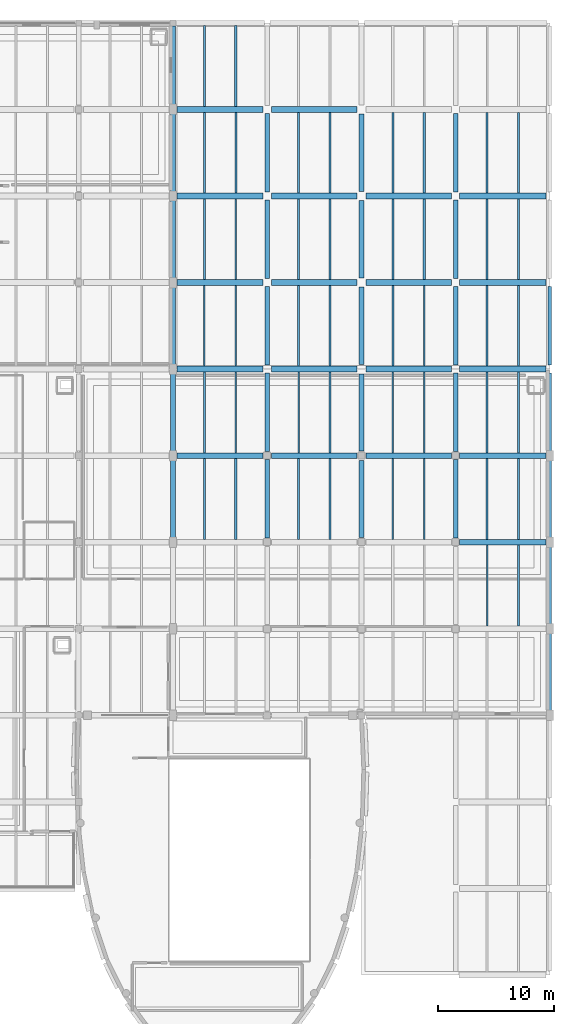
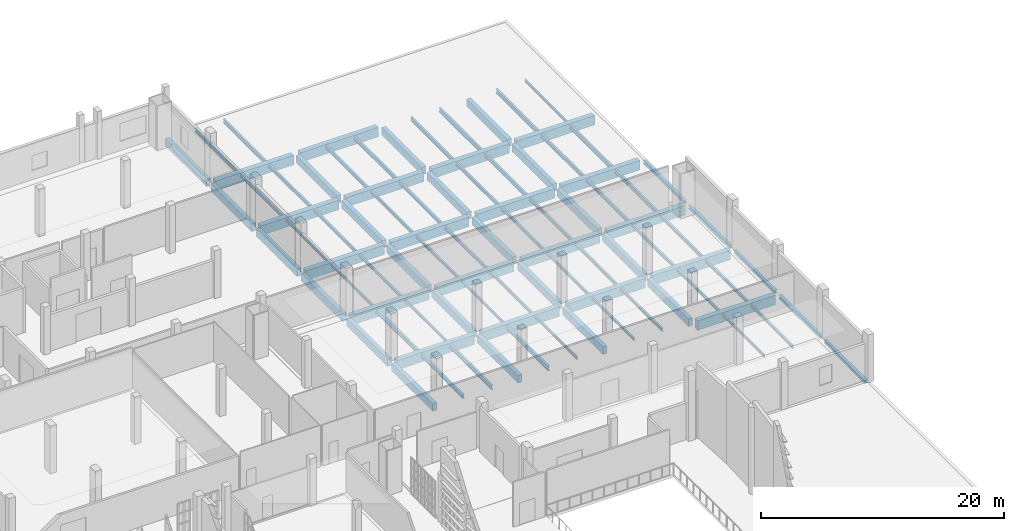
# One storey, part 50 of 104: 89 beams.
"""IFC4 building model written with IfcOpenShell, lengths in metres."""

from ifc_helpers import new_model, si_unit, direction, frame, origin, origin_2d, place, context, subcontext, project, spatial, rectangle, i_section, extrude, material, material_profile, profile_set, type_object, element, save


model = new_model("IFC4")

# Units and contexts
model_context = context("Model", 3, precision=1e-05, world=origin(), true_north=direction((0.0, 1.0)))
body_context = subcontext(model_context, "Body", "Model", "MODEL_VIEW")
ifc_project = project(units=[si_unit("LENGTHUNIT", "METRE"), si_unit("AREAUNIT", "SQUARE_METRE"), si_unit("VOLUMEUNIT", "CUBIC_METRE"), si_unit("PLANEANGLEUNIT", "RADIAN"), si_unit("MASSUNIT", "GRAM", prefix="KILO")], contexts=[model_context])

# Site, building, storey
site_placement = place(None, origin())
site = spatial("IfcSite", under=ifc_project, at=site_placement, CompositionType="ELEMENT")
building_placement = place(site_placement, origin())
building = spatial("IfcBuilding", under=site, at=building_placement, Name="Kaelora Sail Theatre", CompositionType="ELEMENT")
storey_placement = place(building_placement, frame((0.0, 0.0, 5.39990234375)))
storey = spatial("IfcBuildingStorey", under=building, at=storey_placement, Name="L01", CompositionType="ELEMENT", Elevation=5.39990234375)

# Beams
ifc_material_1 = material(Name="Steel S355", Category="steel")
ifc_material_profile_1 = material_profile(ifc_material_1, i_section(OverallWidth=0.18994140625, OverallDepth=0.449951171875, WebThickness=0.009521484375, FlangeThickness=0.0146484375, FilletRadius=0.02099609375, at=origin_2d()), Name="IPE 450")
ifc_profile_set_1 = profile_set([ifc_material_profile_1], Name="Steel S355")
beam_type_1 = type_object("IfcBeamType", Name="STR-BM-BM-IPE450", PredefinedType="BEAM", material=ifc_profile_set_1)
beam_1_placement = place(storey_placement, frame((136.5, 68.7099609375, -0.52001953125), z_axis=(0.0, 1.0, 0.0), x_axis=(-1.0, 0.0, 0.0)))
element("IfcBeam", 1, at=beam_1_placement, inside=storey, type_object=beam_type_1, Name="Secondary floor joist 17/J-2 (L01)", PredefinedType="BEAM", context=body_context, shape_type="SweptSolid", body=[
    extrude(i_section(OverallWidth=0.18994140625, OverallDepth=0.449951171875, WebThickness=0.009521484375, FlangeThickness=0.0146484375, FilletRadius=0.02099609375, at=origin_2d()), origin(), (0.0, 0.0, 1.0), 6.93994140625),
])
beam_2_placement = place(storey_placement, frame((133.800048828125, 76.14990234375, -0.52001953125), z_axis=(0.0, 1.0, 0.0), x_axis=(-1.0, 0.0, 0.0)))
element("IfcBeam", 2, at=beam_2_placement, inside=storey, type_object=beam_type_1, Name="Secondary floor joist 17/K-1 (L01)", PredefinedType="BEAM", context=body_context, shape_type="SweptSolid", body=[
    extrude(i_section(OverallWidth=0.18994140625, OverallDepth=0.449951171875, WebThickness=0.009521484375, FlangeThickness=0.0146484375, FilletRadius=0.02099609375, at=origin_2d()), origin(), (0.0, 0.0, 1.0), 6.940185546875),
])
for number, where, z_axis, x_axis, name in (
    (3, (141.89990234375, 68.7099609375, -0.52001953125), (0.0, 1.0, 0.0), (-1.0, 0.0, 0.0), "Secondary floor joist 18/J-1 (L01)"),
    (4, (152.699951171875, 98.469970703125, -0.52001953125), (0.0, 1.0, 0.0), (-1.0, 0.0, 0.0), "Secondary floor joist 19/N-2 (L01)"),
    (5, (160.800048828125, 91.030029296875, -0.52001953125), (0.0, 1.0, 0.0), (-1.0, 0.0, 0.0), "Secondary floor joist 20/M-2 (L01)"),
    (6, (158.10009765625, 98.469970703125, -0.52001953125), (0.0, 1.0, 0.0), (-1.0, 0.0, 0.0), "Secondary floor joist 20/N-1 (L01)"),
):
    element("IfcBeam", number, at=place(storey_placement, frame(where, z_axis=z_axis, x_axis=x_axis)), inside=storey, type_object=beam_type_1, Name=name, PredefinedType="BEAM", context=body_context, shape_type="SweptSolid", body=[
        extrude(i_section(OverallWidth=0.18994140625, OverallDepth=0.449951171875, WebThickness=0.009521484375, FlangeThickness=0.0146484375, FilletRadius=0.02099609375, at=origin_2d()), origin(), (0.0, 0.0, 1.0), 6.93994140625),
    ])
ifc_material_2 = material(Name="Concrete C40/50", Category="concrete")
ifc_material_profile_2 = material_profile(ifc_material_2, rectangle(XDim=0.39990234375, YDim=0.75, at=origin_2d()), Name="RC-BM 400x750")
ifc_profile_set_2 = profile_set([ifc_material_profile_2], Name="Concrete C40/50")
beam_type_2 = type_object("IfcBeamType", Name="STR-BM-BM-RC4075", PredefinedType="BEAM", material=ifc_profile_set_2)
for number, where, z_axis, x_axis, name in (
    (7, (131.10009765625, 68.81005859375, -0.669921875), (0.0, 1.0, 0.0), (-1.0, 0.0, 0.0), "Primary beam 17 J-K (L01)"),
    (8, (131.10009765625, 76.25, -0.669921875), (0.0, 1.0, 0.0), (-1.0, 0.0, 0.0), "Primary beam 17 K-L (L01)"),
    (9, (131.10009765625, 83.68994140625, -0.669921875), (0.0, 1.0, 0.0), (-1.0, 0.0, 0.0), "Primary beam 17 L-M (L01)"),
):
    element("IfcBeam", number, at=place(storey_placement, frame(where, z_axis=z_axis, x_axis=x_axis)), inside=storey, type_object=beam_type_2, Name=name, PredefinedType="BEAM", context=body_context, shape_type="SweptSolid", body=[
        extrude(rectangle(XDim=0.39990234375, YDim=0.75, at=origin_2d()), origin(), (0.0, 0.0, 1.0), 6.739990234375),
    ])
beam_3_placement = place(storey_placement, frame((131.10009765625, 91.1298828125, -0.669921875), z_axis=(0.0, 1.0, 0.0), x_axis=(-1.0, 0.0, 0.0)))
element("IfcBeam", 10, at=beam_3_placement, inside=storey, type_object=beam_type_2, Name="Primary beam 17 M-N (L01)", PredefinedType="BEAM", context=body_context, shape_type="SweptSolid", body=[
    extrude(rectangle(XDim=0.39990234375, YDim=0.75, at=origin_2d()), origin(), (0.0, 0.0, 1.0), 6.740234375),
])
beam_4_placement = place(storey_placement, frame((131.10009765625, 98.570068359375, -0.669921875), z_axis=(0.0, 1.0, 0.0), x_axis=(-1.0, 0.0, 0.0)))
element("IfcBeam", 11, at=beam_4_placement, inside=storey, type_object=beam_type_2, Name="Primary beam 17 N-O (L01)", PredefinedType="BEAM", context=body_context, shape_type="SweptSolid", body=[
    extrude(rectangle(XDim=0.39990234375, YDim=0.75, at=origin_2d()), origin(), (0.0, 0.0, 1.0), 6.739990234375),
])
beam_5_placement = place(storey_placement, frame((131.10009765625, 106.010009765625, -0.669921875), z_axis=(0.0, 1.0, 0.0), x_axis=(-1.0, 0.0, 0.0)))
element("IfcBeam", 12, at=beam_5_placement, inside=storey, type_object=beam_type_2, Name="Primary beam 17 O-P (L01)", PredefinedType="BEAM", context=body_context, shape_type="SweptSolid", body=[
    extrude(rectangle(XDim=0.39990234375, YDim=0.75, at=origin_2d()), origin(), (0.0, 0.0, 1.0), 6.840087890625),
])
for number, where, z_axis, x_axis, name in (
    (13, (139.199951171875, 68.81005859375, -0.669921875), (0.0, 1.0, 0.0), (-1.0, 0.0, 0.0), "Primary beam 18 J-K (L01)"),
    (14, (139.199951171875, 76.25, -0.669921875), (0.0, 1.0, 0.0), (-1.0, 0.0, 0.0), "Primary beam 18 K-L (L01)"),
    (15, (139.199951171875, 83.68994140625, -0.669921875), (0.0, 1.0, 0.0), (-1.0, 0.0, 0.0), "Primary beam 18 L-M (L01)"),
):
    element("IfcBeam", number, at=place(storey_placement, frame(where, z_axis=z_axis, x_axis=x_axis)), inside=storey, type_object=beam_type_2, Name=name, PredefinedType="BEAM", context=body_context, shape_type="SweptSolid", body=[
        extrude(rectangle(XDim=0.39990234375, YDim=0.75, at=origin_2d()), origin(), (0.0, 0.0, 1.0), 6.739990234375),
    ])
beam_6_placement = place(storey_placement, frame((139.199951171875, 91.1298828125, -0.669921875), z_axis=(0.0, 1.0, 0.0), x_axis=(-1.0, 0.0, 0.0)))
element("IfcBeam", 16, at=beam_6_placement, inside=storey, type_object=beam_type_2, Name="Primary beam 18 M-N (L01)", PredefinedType="BEAM", context=body_context, shape_type="SweptSolid", body=[
    extrude(rectangle(XDim=0.39990234375, YDim=0.75, at=origin_2d()), origin(), (0.0, 0.0, 1.0), 6.740234375),
])
beam_7_placement = place(storey_placement, frame((139.199951171875, 98.570068359375, -0.669921875), z_axis=(0.0, 1.0, 0.0), x_axis=(-1.0, 0.0, 0.0)))
element("IfcBeam", 17, at=beam_7_placement, inside=storey, type_object=beam_type_2, Name="Primary beam 18 N-O (L01)", PredefinedType="BEAM", context=body_context, shape_type="SweptSolid", body=[
    extrude(rectangle(XDim=0.39990234375, YDim=0.75, at=origin_2d()), origin(), (0.0, 0.0, 1.0), 6.739990234375),
])
for number, where, z_axis, x_axis, name in (
    (18, (147.300048828125, 68.860107421875, -0.669921875), (0.0, 1.0, 0.0), (-1.0, 0.0, 0.0), "Primary beam 19 J-K (L01)"),
    (19, (147.300048828125, 76.300048828125, -0.669921875), (0.0, 1.0, 0.0), (-1.0, 0.0, 0.0), "Primary beam 19 K-L (L01)"),
    (20, (147.300048828125, 83.739990234375, -0.669921875), (0.0, 1.0, 0.0), (-1.0, 0.0, 0.0), "Primary beam 19 L-M (L01)"),
):
    element("IfcBeam", number, at=place(storey_placement, frame(where, z_axis=z_axis, x_axis=x_axis)), inside=storey, type_object=beam_type_2, Name=name, PredefinedType="BEAM", context=body_context, shape_type="SweptSolid", body=[
        extrude(rectangle(XDim=0.39990234375, YDim=0.75, at=origin_2d()), origin(), (0.0, 0.0, 1.0), 6.639892578125),
    ])
beam_8_placement = place(storey_placement, frame((147.300048828125, 91.179931640625, -0.669921875), z_axis=(0.0, 1.0, 0.0), x_axis=(-1.0, 0.0, 0.0)))
element("IfcBeam", 21, at=beam_8_placement, inside=storey, type_object=beam_type_2, Name="Primary beam 19 M-N (L01)", PredefinedType="BEAM", context=body_context, shape_type="SweptSolid", body=[
    extrude(rectangle(XDim=0.39990234375, YDim=0.75, at=origin_2d()), origin(), (0.0, 0.0, 1.0), 6.64013671875),
])
beam_9_placement = place(storey_placement, frame((147.300048828125, 98.6201171875, -0.669921875), z_axis=(0.0, 1.0, 0.0), x_axis=(-1.0, 0.0, 0.0)))
element("IfcBeam", 22, at=beam_9_placement, inside=storey, type_object=beam_type_2, Name="Primary beam 19 N-O (L01)", PredefinedType="BEAM", context=body_context, shape_type="SweptSolid", body=[
    extrude(rectangle(XDim=0.39990234375, YDim=0.75, at=origin_2d()), origin(), (0.0, 0.0, 1.0), 6.639892578125),
])
for number, where, z_axis, x_axis, name in (
    (23, (155.39990234375, 68.81005859375, -0.669921875), (0.0, 1.0, 0.0), (-1.0, 0.0, 0.0), "Primary beam 20 J-K (L01)"),
    (24, (155.39990234375, 76.25, -0.669921875), (0.0, 1.0, 0.0), (-1.0, 0.0, 0.0), "Primary beam 20 K-L (L01)"),
    (25, (155.39990234375, 83.68994140625, -0.669921875), (0.0, 1.0, 0.0), (-1.0, 0.0, 0.0), "Primary beam 20 L-M (L01)"),
):
    element("IfcBeam", number, at=place(storey_placement, frame(where, z_axis=z_axis, x_axis=x_axis)), inside=storey, type_object=beam_type_2, Name=name, PredefinedType="BEAM", context=body_context, shape_type="SweptSolid", body=[
        extrude(rectangle(XDim=0.39990234375, YDim=0.75, at=origin_2d()), origin(), (0.0, 0.0, 1.0), 6.739990234375),
    ])
beam_10_placement = place(storey_placement, frame((155.39990234375, 91.1298828125, -0.669921875), z_axis=(0.0, 1.0, 0.0), x_axis=(-1.0, 0.0, 0.0)))
element("IfcBeam", 26, at=beam_10_placement, inside=storey, type_object=beam_type_2, Name="Primary beam 20 M-N (L01)", PredefinedType="BEAM", context=body_context, shape_type="SweptSolid", body=[
    extrude(rectangle(XDim=0.39990234375, YDim=0.75, at=origin_2d()), origin(), (0.0, 0.0, 1.0), 6.740234375),
])
beam_11_placement = place(storey_placement, frame((155.39990234375, 98.570068359375, -0.669921875), z_axis=(0.0, 1.0, 0.0), x_axis=(-1.0, 0.0, 0.0)))
element("IfcBeam", 27, at=beam_11_placement, inside=storey, type_object=beam_type_2, Name="Primary beam 20 N-O (L01)", PredefinedType="BEAM", context=body_context, shape_type="SweptSolid", body=[
    extrude(rectangle(XDim=0.39990234375, YDim=0.75, at=origin_2d()), origin(), (0.0, 0.0, 1.0), 6.739990234375),
])
ifc_material_3 = material(Name="Concrete C45/55", Category="concrete")
ifc_material_profile_3 = material_profile(ifc_material_3, rectangle(XDim=0.5, YDim=0.949951171875, at=origin_2d()), Name="RC-GRD 500x950")
ifc_profile_set_3 = profile_set([ifc_material_profile_3], Name="Concrete C45/55")
beam_type_3 = type_object("IfcBeamType", Name="STR-BM-GR-RC5095", PredefinedType="T_BEAM", material=ifc_profile_set_3)
for number, where, z_axis, x_axis, name in (
    (28, (131.449951171875, 75.89990234375, -0.77001953125), (1.0, 0.0, 0.0), (0.0, 1.0, 0.0), "Primary beam K 17-18 (L01)"),
    (29, (131.449951171875, 83.340087890625, -0.77001953125), (1.0, 0.0, 0.0), (0.0, 1.0, 0.0), "Primary beam L 17-18 (L01)"),
    (30, (131.449951171875, 90.780029296875, -0.77001953125), (1.0, 0.0, 0.0), (0.0, 1.0, 0.0), "Primary beam M 17-18 (L01)"),
    (31, (131.449951171875, 98.219970703125, -0.77001953125), (1.0, 0.0, 0.0), (0.0, 1.0, 0.0), "Primary beam N 17-18 (L01)"),
    (32, (131.449951171875, 105.659912109375, -0.77001953125), (1.0, 0.0, 0.0), (0.0, 1.0, 0.0), "Primary beam O 17-18 (L01)"),
):
    element("IfcBeam", number, at=place(storey_placement, frame(where, z_axis=z_axis, x_axis=x_axis)), inside=storey, type_object=beam_type_3, Name=name, PredefinedType="T_BEAM", context=body_context, shape_type="SweptSolid", body=[
        extrude(rectangle(XDim=0.5, YDim=0.949951171875, at=origin_2d()), origin(), (0.0, 0.0, 1.0), 7.400146484375),
    ])
for number, where, z_axis, x_axis, name in (
    (33, (139.550048828125, 75.89990234375, -0.77001953125), (1.0, 0.0, 0.0), (0.0, 1.0, 0.0), "Primary beam K 18-19 (L01)"),
    (34, (139.550048828125, 83.340087890625, -0.77001953125), (1.0, 0.0, 0.0), (0.0, 1.0, 0.0), "Primary beam L 18-19 (L01)"),
    (35, (139.550048828125, 90.780029296875, -0.77001953125), (1.0, 0.0, 0.0), (0.0, 1.0, 0.0), "Primary beam M 18-19 (L01)"),
    (36, (139.550048828125, 98.219970703125, -0.77001953125), (1.0, 0.0, 0.0), (0.0, 1.0, 0.0), "Primary beam N 18-19 (L01)"),
    (37, (139.550048828125, 105.659912109375, -0.77001953125), (1.0, 0.0, 0.0), (0.0, 1.0, 0.0), "Primary beam O 18-19 (L01)"),
):
    element("IfcBeam", number, at=place(storey_placement, frame(where, z_axis=z_axis, x_axis=x_axis)), inside=storey, type_object=beam_type_3, Name=name, PredefinedType="T_BEAM", context=body_context, shape_type="SweptSolid", body=[
        extrude(rectangle(XDim=0.5, YDim=0.949951171875, at=origin_2d()), origin(), (0.0, 0.0, 1.0), 7.349853515625),
    ])
for number, where, z_axis, x_axis, name in (
    (38, (147.699951171875, 75.89990234375, -0.77001953125), (1.0, 0.0, 0.0), (0.0, 1.0, 0.0), "Primary beam K 19-20 (L01)"),
    (39, (147.699951171875, 83.340087890625, -0.77001953125), (1.0, 0.0, 0.0), (0.0, 1.0, 0.0), "Primary beam L 19-20 (L01)"),
    (40, (147.699951171875, 90.780029296875, -0.77001953125), (1.0, 0.0, 0.0), (0.0, 1.0, 0.0), "Primary beam M 19-20 (L01)"),
    (41, (147.699951171875, 98.219970703125, -0.77001953125), (1.0, 0.0, 0.0), (0.0, 1.0, 0.0), "Primary beam N 19-20 (L01)"),
):
    element("IfcBeam", number, at=place(storey_placement, frame(where, z_axis=z_axis, x_axis=x_axis)), inside=storey, type_object=beam_type_3, Name=name, PredefinedType="T_BEAM", context=body_context, shape_type="SweptSolid", body=[
        extrude(rectangle(XDim=0.5, YDim=0.949951171875, at=origin_2d()), origin(), (0.0, 0.0, 1.0), 7.35009765625),
    ])
for number, where, z_axis, x_axis, name in (
    (42, (155.75, 68.4599609375, -0.77001953125), (1.0, 0.0, 0.0), (0.0, 1.0, 0.0), "Primary beam J 20-21 (L01)"),
    (43, (155.75, 75.89990234375, -0.77001953125), (1.0, 0.0, 0.0), (0.0, 1.0, 0.0), "Primary beam K 20-21 (L01)"),
    (44, (155.75, 83.340087890625, -0.77001953125), (1.0, 0.0, 0.0), (0.0, 1.0, 0.0), "Primary beam L 20-21 (L01)"),
    (45, (155.75, 90.780029296875, -0.77001953125), (1.0, 0.0, 0.0), (0.0, 1.0, 0.0), "Primary beam M 20-21 (L01)"),
    (46, (155.75, 98.219970703125, -0.77001953125), (1.0, 0.0, 0.0), (0.0, 1.0, 0.0), "Primary beam N 20-21 (L01)"),
):
    element("IfcBeam", number, at=place(storey_placement, frame(where, z_axis=z_axis, x_axis=x_axis)), inside=storey, type_object=beam_type_3, Name=name, PredefinedType="T_BEAM", context=body_context, shape_type="SweptSolid", body=[
        extrude(rectangle(XDim=0.5, YDim=0.949951171875, at=origin_2d()), origin(), (0.0, 0.0, 1.0), 7.39990234375),
    ])
ifc_material_4 = material(Name="Steel S355", Category="steel")
ifc_material_profile_4 = material_profile(ifc_material_4, i_section(OverallWidth=0.135009765625, OverallDepth=0.27001953125, WebThickness=0.006591796875, FlangeThickness=0.01025390625, FilletRadius=0.014892578125, at=origin_2d()), Name="IPE 270")
ifc_profile_set_4 = profile_set([ifc_material_profile_4], Name="Steel S355")
beam_type_4 = type_object("IfcBeamType", Name="STR-BM-JS-IPE270", PredefinedType="JOIST", material=ifc_profile_set_4)
beam_12_placement = place(storey_placement, frame((136.5, 76.14990234375, -0.429931640625), z_axis=(0.0, 1.0, 0.0), x_axis=(-1.0, 0.0, 0.0)))
element("IfcBeam", 47, at=beam_12_placement, inside=storey, type_object=beam_type_4, Name="Secondary floor joist 17/K-2 (L01)", PredefinedType="JOIST", context=body_context, shape_type="SweptSolid", body=[
    extrude(i_section(OverallWidth=0.135009765625, OverallDepth=0.27001953125, WebThickness=0.006591796875, FlangeThickness=0.01025390625, FilletRadius=0.014892578125, at=origin_2d()), origin(), (0.0, 0.0, 1.0), 6.940185546875),
])
for number, where, z_axis, x_axis, name in (
    (48, (133.800048828125, 83.590087890625, -0.429931640625), (0.0, 1.0, 0.0), (-1.0, 0.0, 0.0), "Secondary floor joist 17/L-1 (L01)"),
    (49, (144.60009765625, 68.7099609375, -0.429931640625), (0.0, 1.0, 0.0), (-1.0, 0.0, 0.0), "Secondary floor joist 18/J-2 (L01)"),
):
    element("IfcBeam", number, at=place(storey_placement, frame(where, z_axis=z_axis, x_axis=x_axis)), inside=storey, type_object=beam_type_4, Name=name, PredefinedType="JOIST", context=body_context, shape_type="SweptSolid", body=[
        extrude(i_section(OverallWidth=0.135009765625, OverallDepth=0.27001953125, WebThickness=0.006591796875, FlangeThickness=0.01025390625, FilletRadius=0.014892578125, at=origin_2d()), origin(), (0.0, 0.0, 1.0), 6.93994140625),
    ])
beam_13_placement = place(storey_placement, frame((141.89990234375, 76.14990234375, -0.429931640625), z_axis=(0.0, 1.0, 0.0), x_axis=(-1.0, 0.0, 0.0)))
element("IfcBeam", 50, at=beam_13_placement, inside=storey, type_object=beam_type_4, Name="Secondary floor joist 18/K-1 (L01)", PredefinedType="JOIST", context=body_context, shape_type="SweptSolid", body=[
    extrude(i_section(OverallWidth=0.135009765625, OverallDepth=0.27001953125, WebThickness=0.006591796875, FlangeThickness=0.01025390625, FilletRadius=0.014892578125, at=origin_2d()), origin(), (0.0, 0.0, 1.0), 6.940185546875),
])
for number, where, z_axis, x_axis, name in (
    (51, (150.0, 68.7099609375, -0.429931640625), (0.0, 1.0, 0.0), (-1.0, 0.0, 0.0), "Secondary floor joist 19/J-1 (L01)"),
    (52, (158.10009765625, 61.27001953125, -0.429931640625), (0.0, 1.0, 0.0), (-1.0, 0.0, 0.0), "Secondary floor joist 20/I-1 (L01)"),
    (53, (160.800048828125, 98.469970703125, -0.429931640625), (0.0, 1.0, 0.0), (-1.0, 0.0, 0.0), "Secondary floor joist 20/N-2 (L01)"),
):
    element("IfcBeam", number, at=place(storey_placement, frame(where, z_axis=z_axis, x_axis=x_axis)), inside=storey, type_object=beam_type_4, Name=name, PredefinedType="JOIST", context=body_context, shape_type="SweptSolid", body=[
        extrude(i_section(OverallWidth=0.135009765625, OverallDepth=0.27001953125, WebThickness=0.006591796875, FlangeThickness=0.01025390625, FilletRadius=0.014892578125, at=origin_2d()), origin(), (0.0, 0.0, 1.0), 6.93994140625),
    ])
ifc_material_5 = material(Name="Steel S355", Category="steel")
ifc_material_profile_5 = material_profile(ifc_material_5, i_section(OverallWidth=0.14990234375, OverallDepth=0.300048828125, WebThickness=0.007080078125, FlangeThickness=0.0107421875, FilletRadius=0.014892578125, at=origin_2d()), Name="IPE 300")
ifc_profile_set_5 = profile_set([ifc_material_profile_5], Name="Steel S355")
beam_type_5 = type_object("IfcBeamType", Name="STR-BM-JS-IPE300", PredefinedType="JOIST", material=ifc_profile_set_5)
for number, where, z_axis, x_axis, name in (
    (54, (136.5, 83.590087890625, -0.44482421875), (0.0, 1.0, 0.0), (-1.0, 0.0, 0.0), "Secondary floor joist 17/L-2 (L01)"),
    (55, (133.800048828125, 91.030029296875, -0.44482421875), (0.0, 1.0, 0.0), (-1.0, 0.0, 0.0), "Secondary floor joist 17/M-1 (L01)"),
):
    element("IfcBeam", number, at=place(storey_placement, frame(where, z_axis=z_axis, x_axis=x_axis)), inside=storey, type_object=beam_type_5, Name=name, PredefinedType="JOIST", context=body_context, shape_type="SweptSolid", body=[
        extrude(i_section(OverallWidth=0.14990234375, OverallDepth=0.300048828125, WebThickness=0.007080078125, FlangeThickness=0.0107421875, FilletRadius=0.014892578125, at=origin_2d()), origin(), (0.0, 0.0, 1.0), 6.93994140625),
    ])
beam_14_placement = place(storey_placement, frame((144.60009765625, 76.14990234375, -0.44482421875), z_axis=(0.0, 1.0, 0.0), x_axis=(-1.0, 0.0, 0.0)))
element("IfcBeam", 56, at=beam_14_placement, inside=storey, type_object=beam_type_5, Name="Secondary floor joist 18/K-2 (L01)", PredefinedType="JOIST", context=body_context, shape_type="SweptSolid", body=[
    extrude(i_section(OverallWidth=0.14990234375, OverallDepth=0.300048828125, WebThickness=0.007080078125, FlangeThickness=0.0107421875, FilletRadius=0.014892578125, at=origin_2d()), origin(), (0.0, 0.0, 1.0), 6.940185546875),
])
for number, where, z_axis, x_axis, name in (
    (57, (141.89990234375, 83.590087890625, -0.44482421875), (0.0, 1.0, 0.0), (-1.0, 0.0, 0.0), "Secondary floor joist 18/L-1 (L01)"),
    (58, (152.699951171875, 68.7099609375, -0.44482421875), (0.0, 1.0, 0.0), (-1.0, 0.0, 0.0), "Secondary floor joist 19/J-2 (L01)"),
):
    element("IfcBeam", number, at=place(storey_placement, frame(where, z_axis=z_axis, x_axis=x_axis)), inside=storey, type_object=beam_type_5, Name=name, PredefinedType="JOIST", context=body_context, shape_type="SweptSolid", body=[
        extrude(i_section(OverallWidth=0.14990234375, OverallDepth=0.300048828125, WebThickness=0.007080078125, FlangeThickness=0.0107421875, FilletRadius=0.014892578125, at=origin_2d()), origin(), (0.0, 0.0, 1.0), 6.93994140625),
    ])
beam_15_placement = place(storey_placement, frame((150.0, 76.14990234375, -0.44482421875), z_axis=(0.0, 1.0, 0.0), x_axis=(-1.0, 0.0, 0.0)))
element("IfcBeam", 59, at=beam_15_placement, inside=storey, type_object=beam_type_5, Name="Secondary floor joist 19/K-1 (L01)", PredefinedType="JOIST", context=body_context, shape_type="SweptSolid", body=[
    extrude(i_section(OverallWidth=0.14990234375, OverallDepth=0.300048828125, WebThickness=0.007080078125, FlangeThickness=0.0107421875, FilletRadius=0.014892578125, at=origin_2d()), origin(), (0.0, 0.0, 1.0), 6.940185546875),
])
for number, where, z_axis, x_axis, name in (
    (60, (160.800048828125, 61.27001953125, -0.44482421875), (0.0, 1.0, 0.0), (-1.0, 0.0, 0.0), "Secondary floor joist 20/I-2 (L01)"),
    (61, (158.10009765625, 68.7099609375, -0.44482421875), (0.0, 1.0, 0.0), (-1.0, 0.0, 0.0), "Secondary floor joist 20/J-1 (L01)"),
):
    element("IfcBeam", number, at=place(storey_placement, frame(where, z_axis=z_axis, x_axis=x_axis)), inside=storey, type_object=beam_type_5, Name=name, PredefinedType="JOIST", context=body_context, shape_type="SweptSolid", body=[
        extrude(i_section(OverallWidth=0.14990234375, OverallDepth=0.300048828125, WebThickness=0.007080078125, FlangeThickness=0.0107421875, FilletRadius=0.014892578125, at=origin_2d()), origin(), (0.0, 0.0, 1.0), 6.93994140625),
    ])
ifc_material_6 = material(Name="Steel S355", Category="steel")
ifc_material_profile_6 = material_profile(ifc_material_6, i_section(OverallWidth=0.159912109375, OverallDepth=0.330078125, WebThickness=0.007568359375, FlangeThickness=0.011474609375, FilletRadius=0.01806640625, at=origin_2d()), Name="IPE 330")
ifc_profile_set_6 = profile_set([ifc_material_profile_6], Name="Steel S355")
beam_type_6 = type_object("IfcBeamType", Name="STR-BM-JS-IPE330", PredefinedType="JOIST", material=ifc_profile_set_6)
for number, where, z_axis, x_axis, name in (
    (62, (136.5, 91.030029296875, -0.4599609375), (0.0, 1.0, 0.0), (-1.0, 0.0, 0.0), "Secondary floor joist 17/M-2 (L01)"),
    (63, (133.800048828125, 98.469970703125, -0.4599609375), (0.0, 1.0, 0.0), (-1.0, 0.0, 0.0), "Secondary floor joist 17/N-1 (L01)"),
    (64, (144.60009765625, 83.590087890625, -0.4599609375), (0.0, 1.0, 0.0), (-1.0, 0.0, 0.0), "Secondary floor joist 18/L-2 (L01)"),
    (65, (141.89990234375, 91.030029296875, -0.4599609375), (0.0, 1.0, 0.0), (-1.0, 0.0, 0.0), "Secondary floor joist 18/M-1 (L01)"),
):
    element("IfcBeam", number, at=place(storey_placement, frame(where, z_axis=z_axis, x_axis=x_axis)), inside=storey, type_object=beam_type_6, Name=name, PredefinedType="JOIST", context=body_context, shape_type="SweptSolid", body=[
        extrude(i_section(OverallWidth=0.159912109375, OverallDepth=0.330078125, WebThickness=0.007568359375, FlangeThickness=0.011474609375, FilletRadius=0.01806640625, at=origin_2d()), origin(), (0.0, 0.0, 1.0), 6.93994140625),
    ])
beam_16_placement = place(storey_placement, frame((152.699951171875, 76.14990234375, -0.4599609375), z_axis=(0.0, 1.0, 0.0), x_axis=(-1.0, 0.0, 0.0)))
element("IfcBeam", 66, at=beam_16_placement, inside=storey, type_object=beam_type_6, Name="Secondary floor joist 19/K-2 (L01)", PredefinedType="JOIST", context=body_context, shape_type="SweptSolid", body=[
    extrude(i_section(OverallWidth=0.159912109375, OverallDepth=0.330078125, WebThickness=0.007568359375, FlangeThickness=0.011474609375, FilletRadius=0.01806640625, at=origin_2d()), origin(), (0.0, 0.0, 1.0), 6.940185546875),
])
for number, where, z_axis, x_axis, name in (
    (67, (150.0, 83.590087890625, -0.4599609375), (0.0, 1.0, 0.0), (-1.0, 0.0, 0.0), "Secondary floor joist 19/L-1 (L01)"),
    (68, (160.800048828125, 68.7099609375, -0.4599609375), (0.0, 1.0, 0.0), (-1.0, 0.0, 0.0), "Secondary floor joist 20/J-2 (L01)"),
):
    element("IfcBeam", number, at=place(storey_placement, frame(where, z_axis=z_axis, x_axis=x_axis)), inside=storey, type_object=beam_type_6, Name=name, PredefinedType="JOIST", context=body_context, shape_type="SweptSolid", body=[
        extrude(i_section(OverallWidth=0.159912109375, OverallDepth=0.330078125, WebThickness=0.007568359375, FlangeThickness=0.011474609375, FilletRadius=0.01806640625, at=origin_2d()), origin(), (0.0, 0.0, 1.0), 6.93994140625),
    ])
beam_17_placement = place(storey_placement, frame((158.10009765625, 76.14990234375, -0.4599609375), z_axis=(0.0, 1.0, 0.0), x_axis=(-1.0, 0.0, 0.0)))
element("IfcBeam", 69, at=beam_17_placement, inside=storey, type_object=beam_type_6, Name="Secondary floor joist 20/K-1 (L01)", PredefinedType="JOIST", context=body_context, shape_type="SweptSolid", body=[
    extrude(i_section(OverallWidth=0.159912109375, OverallDepth=0.330078125, WebThickness=0.007568359375, FlangeThickness=0.011474609375, FilletRadius=0.01806640625, at=origin_2d()), origin(), (0.0, 0.0, 1.0), 6.940185546875),
])
ifc_material_7 = material(Name="Steel S355", Category="steel")
ifc_material_profile_7 = material_profile(ifc_material_7, i_section(OverallWidth=0.169921875, OverallDepth=0.360107421875, WebThickness=0.008056640625, FlangeThickness=0.0126953125, FilletRadius=0.01806640625, at=origin_2d()), Name="IPE 360")
ifc_profile_set_7 = profile_set([ifc_material_profile_7], Name="Steel S355")
beam_type_7 = type_object("IfcBeamType", Name="STR-BM-JS-IPE360", PredefinedType="JOIST", material=ifc_profile_set_7)
beam_18_placement = place(storey_placement, frame((136.5, 98.469970703125, -0.474853515625), z_axis=(0.0, 1.0, 0.0), x_axis=(-1.0, 0.0, 0.0)))
element("IfcBeam", 70, at=beam_18_placement, inside=storey, type_object=beam_type_7, Name="Secondary floor joist 17/N-2 (L01)", PredefinedType="JOIST", context=body_context, shape_type="SweptSolid", body=[
    extrude(i_section(OverallWidth=0.169921875, OverallDepth=0.360107421875, WebThickness=0.008056640625, FlangeThickness=0.0126953125, FilletRadius=0.01806640625, at=origin_2d()), origin(), (0.0, 0.0, 1.0), 6.93994140625),
])
beam_19_placement = place(storey_placement, frame((133.800048828125, 105.909912109375, -0.474853515625), z_axis=(0.0, 1.0, 0.0), x_axis=(-1.0, 0.0, 0.0)))
element("IfcBeam", 71, at=beam_19_placement, inside=storey, type_object=beam_type_7, Name="Secondary floor joist 17/O-1 (L01)", PredefinedType="JOIST", context=body_context, shape_type="SweptSolid", body=[
    extrude(i_section(OverallWidth=0.169921875, OverallDepth=0.360107421875, WebThickness=0.008056640625, FlangeThickness=0.0126953125, FilletRadius=0.01806640625, at=origin_2d()), origin(), (0.0, 0.0, 1.0), 6.965087890625),
])
for number, where, z_axis, x_axis, name in (
    (72, (144.60009765625, 91.030029296875, -0.474853515625), (0.0, 1.0, 0.0), (-1.0, 0.0, 0.0), "Secondary floor joist 18/M-2 (L01)"),
    (73, (141.89990234375, 98.469970703125, -0.474853515625), (0.0, 1.0, 0.0), (-1.0, 0.0, 0.0), "Secondary floor joist 18/N-1 (L01)"),
    (74, (152.699951171875, 83.590087890625, -0.474853515625), (0.0, 1.0, 0.0), (-1.0, 0.0, 0.0), "Secondary floor joist 19/L-2 (L01)"),
    (75, (150.0, 91.030029296875, -0.474853515625), (0.0, 1.0, 0.0), (-1.0, 0.0, 0.0), "Secondary floor joist 19/M-1 (L01)"),
):
    element("IfcBeam", number, at=place(storey_placement, frame(where, z_axis=z_axis, x_axis=x_axis)), inside=storey, type_object=beam_type_7, Name=name, PredefinedType="JOIST", context=body_context, shape_type="SweptSolid", body=[
        extrude(i_section(OverallWidth=0.169921875, OverallDepth=0.360107421875, WebThickness=0.008056640625, FlangeThickness=0.0126953125, FilletRadius=0.01806640625, at=origin_2d()), origin(), (0.0, 0.0, 1.0), 6.93994140625),
    ])
beam_20_placement = place(storey_placement, frame((160.800048828125, 76.14990234375, -0.474853515625), z_axis=(0.0, 1.0, 0.0), x_axis=(-1.0, 0.0, 0.0)))
element("IfcBeam", 76, at=beam_20_placement, inside=storey, type_object=beam_type_7, Name="Secondary floor joist 20/K-2 (L01)", PredefinedType="JOIST", context=body_context, shape_type="SweptSolid", body=[
    extrude(i_section(OverallWidth=0.169921875, OverallDepth=0.360107421875, WebThickness=0.008056640625, FlangeThickness=0.0126953125, FilletRadius=0.01806640625, at=origin_2d()), origin(), (0.0, 0.0, 1.0), 6.940185546875),
])
beam_21_placement = place(storey_placement, frame((158.10009765625, 83.590087890625, -0.474853515625), z_axis=(0.0, 1.0, 0.0), x_axis=(-1.0, 0.0, 0.0)))
element("IfcBeam", 77, at=beam_21_placement, inside=storey, type_object=beam_type_7, Name="Secondary floor joist 20/L-1 (L01)", PredefinedType="JOIST", context=body_context, shape_type="SweptSolid", body=[
    extrude(i_section(OverallWidth=0.169921875, OverallDepth=0.360107421875, WebThickness=0.008056640625, FlangeThickness=0.0126953125, FilletRadius=0.01806640625, at=origin_2d()), origin(), (0.0, 0.0, 1.0), 6.93994140625),
])
ifc_material_8 = material(Name="Steel S355", Category="steel")
ifc_material_profile_8 = material_profile(ifc_material_8, i_section(OverallWidth=0.179931640625, OverallDepth=0.39990234375, WebThickness=0.008544921875, FlangeThickness=0.013427734375, FilletRadius=0.02099609375, at=origin_2d()), Name="IPE 400")
ifc_profile_set_8 = profile_set([ifc_material_profile_8], Name="Steel S355")
beam_type_8 = type_object("IfcBeamType", Name="STR-BM-JS-IPE400", PredefinedType="JOIST", material=ifc_profile_set_8)
beam_22_placement = place(storey_placement, frame((133.800048828125, 68.7099609375, -0.494873046875), z_axis=(0.0, 1.0, 0.0), x_axis=(-1.0, 0.0, 0.0)))
element("IfcBeam", 78, at=beam_22_placement, inside=storey, type_object=beam_type_8, Name="Secondary floor joist 17/J-1 (L01)", PredefinedType="JOIST", context=body_context, shape_type="SweptSolid", body=[
    extrude(i_section(OverallWidth=0.179931640625, OverallDepth=0.39990234375, WebThickness=0.008544921875, FlangeThickness=0.013427734375, FilletRadius=0.02099609375, at=origin_2d()), origin(), (0.0, 0.0, 1.0), 6.93994140625),
])
beam_23_placement = place(storey_placement, frame((136.5, 105.909912109375, -0.494873046875), z_axis=(0.0, 1.0, 0.0), x_axis=(-1.0, 0.0, 0.0)))
element("IfcBeam", 79, at=beam_23_placement, inside=storey, type_object=beam_type_8, Name="Secondary floor joist 17/O-2 (L01)", PredefinedType="JOIST", context=body_context, shape_type="SweptSolid", body=[
    extrude(i_section(OverallWidth=0.179931640625, OverallDepth=0.39990234375, WebThickness=0.008544921875, FlangeThickness=0.013427734375, FilletRadius=0.02099609375, at=origin_2d()), origin(), (0.0, 0.0, 1.0), 6.965087890625),
])
for number, where, z_axis, x_axis, name in (
    (80, (144.60009765625, 98.469970703125, -0.494873046875), (0.0, 1.0, 0.0), (-1.0, 0.0, 0.0), "Secondary floor joist 18/N-2 (L01)"),
    (81, (152.699951171875, 91.030029296875, -0.494873046875), (0.0, 1.0, 0.0), (-1.0, 0.0, 0.0), "Secondary floor joist 19/M-2 (L01)"),
    (82, (150.0, 98.469970703125, -0.494873046875), (0.0, 1.0, 0.0), (-1.0, 0.0, 0.0), "Secondary floor joist 19/N-1 (L01)"),
    (83, (160.800048828125, 83.590087890625, -0.494873046875), (0.0, 1.0, 0.0), (-1.0, 0.0, 0.0), "Secondary floor joist 20/L-2 (L01)"),
    (84, (158.10009765625, 91.030029296875, -0.494873046875), (0.0, 1.0, 0.0), (-1.0, 0.0, 0.0), "Secondary floor joist 20/M-1 (L01)"),
):
    element("IfcBeam", number, at=place(storey_placement, frame(where, z_axis=z_axis, x_axis=x_axis)), inside=storey, type_object=beam_type_8, Name=name, PredefinedType="JOIST", context=body_context, shape_type="SweptSolid", body=[
        extrude(i_section(OverallWidth=0.179931640625, OverallDepth=0.39990234375, WebThickness=0.008544921875, FlangeThickness=0.013427734375, FilletRadius=0.02099609375, at=origin_2d()), origin(), (0.0, 0.0, 1.0), 6.93994140625),
    ])
ifc_material_9 = material(Name="Steel S355", Category="steel")
ifc_material_profile_9 = material_profile(ifc_material_9, i_section(OverallWidth=0.300048828125, OverallDepth=0.300048828125, WebThickness=0.010986328125, FlangeThickness=0.01904296875, FilletRadius=0.027099609375, at=origin_2d()), Name="HEB 300")
ifc_profile_set_9 = profile_set([ifc_material_profile_9], Name="Steel S355")
beam_type_9 = type_object("IfcBeamType", Name="STR-BM-SP-HEB300", PredefinedType="SPANDREL", material=ifc_profile_set_9)
for number, where, z_axis, x_axis, name in (
    (85, (163.5, 53.929931640625, -0.44482421875), (0.0, 1.0, 0.0), (-1.0, 0.0, 0.0), "Primary beam 21 H-I (L01)"),
    (86, (163.5, 61.3701171875, -0.44482421875), (0.0, 1.0, 0.0), (-1.0, 0.0, 0.0), "Primary beam 21 I-J (L01)"),
    (87, (163.5, 68.81005859375, -0.44482421875), (0.0, 1.0, 0.0), (-1.0, 0.0, 0.0), "Primary beam 21 J-K (L01)"),
    (88, (163.5, 76.25, -0.44482421875), (0.0, 1.0, 0.0), (-1.0, 0.0, 0.0), "Primary beam 21 K-L (L01)"),
    (89, (163.5, 83.68994140625, -0.44482421875), (0.0, 1.0, 0.0), (-1.0, 0.0, 0.0), "Primary beam 21 L-M (L01)"),
):
    element("IfcBeam", number, at=place(storey_placement, frame(where, z_axis=z_axis, x_axis=x_axis)), inside=storey, type_object=beam_type_9, Name=name, PredefinedType="SPANDREL", context=body_context, shape_type="SweptSolid", body=[
        extrude(i_section(OverallWidth=0.300048828125, OverallDepth=0.300048828125, WebThickness=0.010986328125, FlangeThickness=0.01904296875, FilletRadius=0.027099609375, at=origin_2d()), origin(), (0.0, 0.0, 1.0), 6.739990234375),
    ])

save(model, "model.ifc")
